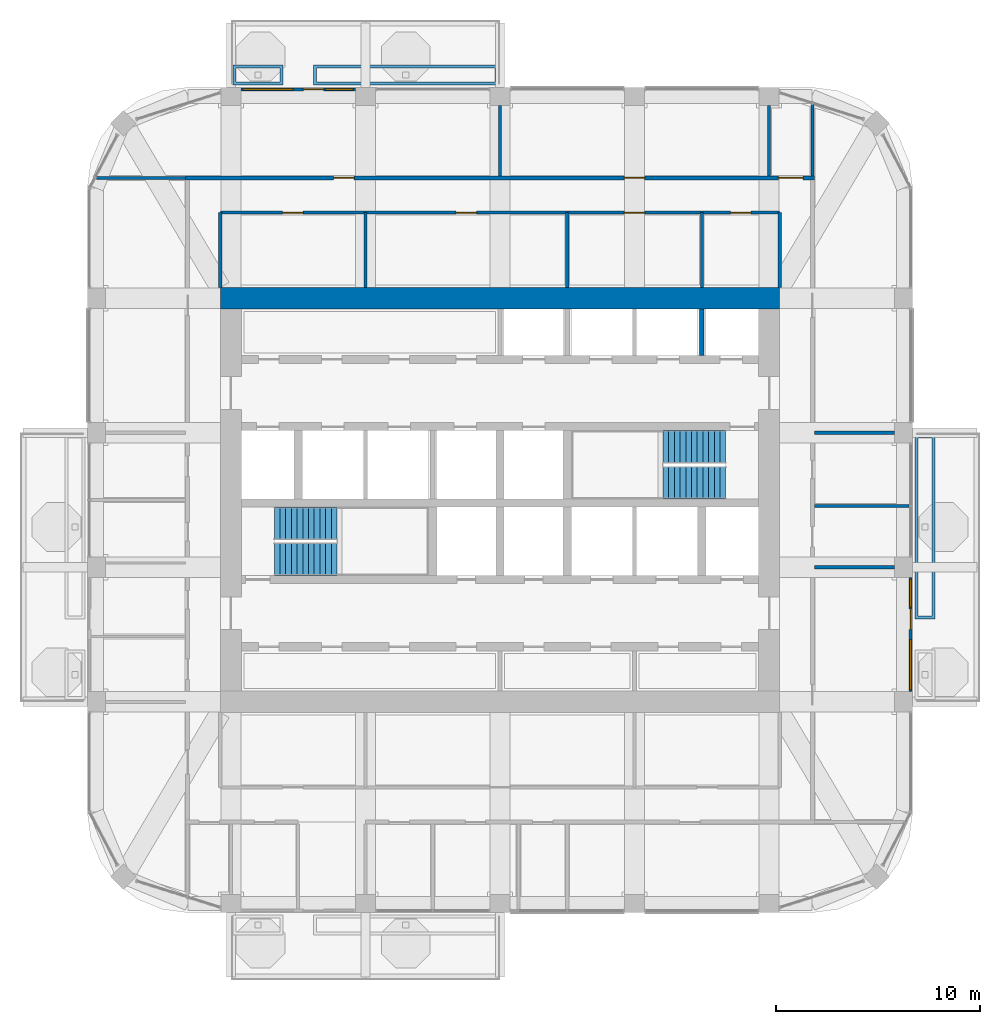
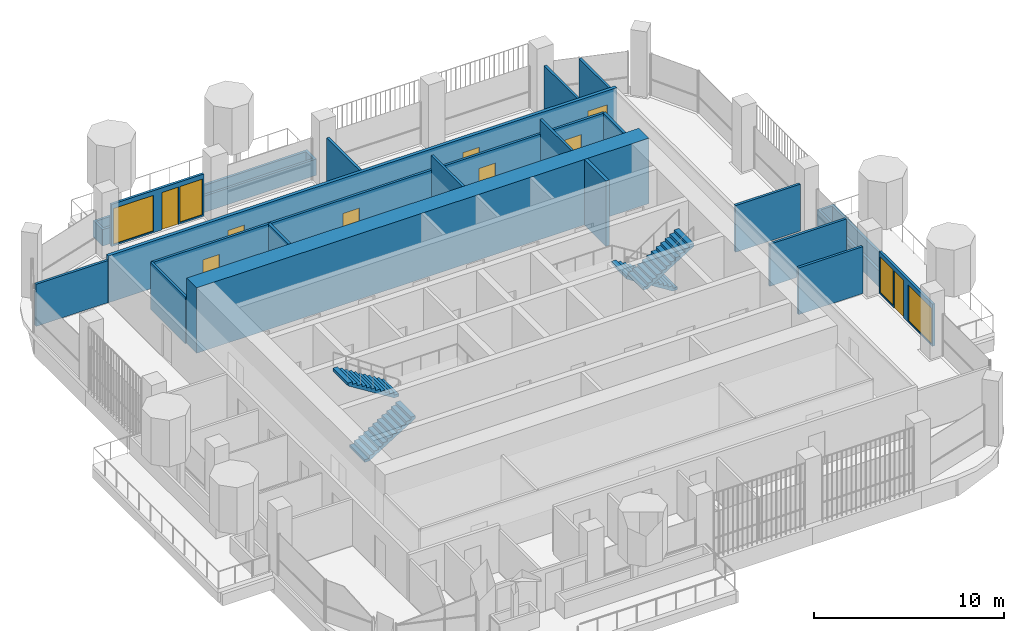
# One storey, part 15 of 19: 21 walls, 9 doors, 4 stair flights, 4 windows, 13 openings, 2 elements without a shape of their own.
"""IFC4 building model written with IfcOpenShell, lengths in metres."""

from ifc_helpers import new_model, si_unit, direction, frame, frame_2d, origin, place, context, subcontext, project, spatial, polyline, rectangle, outline, extrude, material, layer, layer_set, type_object, element, fill, aggregate, save


model = new_model("IFC4")

# Units and contexts
model_context = context("Model", 3, precision=1e-05, world=origin(), true_north=direction((0.0, 1.0)))
body_context = subcontext(model_context, "Body", "Model", "MODEL_VIEW")
ifc_project = project(units=[si_unit("LENGTHUNIT", "METRE"), si_unit("AREAUNIT", "SQUARE_METRE"), si_unit("VOLUMEUNIT", "CUBIC_METRE"), si_unit("PLANEANGLEUNIT", "RADIAN"), si_unit("MASSUNIT", "GRAM", prefix="KILO")], contexts=[model_context])

# Site, building, storey
site_placement = place(None, origin())
site = spatial("IfcSite", under=ifc_project, at=site_placement, CompositionType="ELEMENT")
building_placement = place(site_placement, origin())
building = spatial("IfcBuilding", under=site, at=building_placement, Name="Cobogo Forest Laboratory Tower", CompositionType="ELEMENT")
storey_placement = place(building_placement, frame((0.0, 0.0, 262.800048828125)))
storey = spatial("IfcBuildingStorey", under=building, at=storey_placement, Name="L60", CompositionType="ELEMENT", Elevation=262.800048828125)

# Wall
ifc_material_1 = material(Name="Concrete HA-50 (C50/60)", Category="concrete")
ifc_layer_1 = layer(ifc_material_1, 1.050048828125)
ifc_layer_set_1 = layer_set([ifc_layer_1], Name="CW1050 core outer wall 1050")
wall_type_1 = type_object("IfcWallType", Name="CW1050 core outer wall 1050", PredefinedType="SHEAR", material=ifc_layer_set_1)
wall_1_placement = place(storey_placement, frame((40.125, 33.0, 0.0), z_axis=(0.0, 0.0, 1.0), x_axis=(-1.0, 0.0, 0.0)))
element("IfcWall", 1, at=wall_1_placement, inside=storey, type_object=wall_type_1, Name="Core wall CO-N L60", PredefinedType="SHEAR", context=body_context, shape_type="SweptSolid", body=[
    extrude(rectangle(XDim=27.449951171875, YDim=1.050048828125, at=frame_2d((13.72509765625, 0.0))), origin(), (0.0, 0.0, 1.0), 4.199951171875),
])

# Wall, openings, door, windows
ifc_material_2 = material(Name="Aluminium framed glazed screen", Category="aluminium")
ifc_layer_2 = layer(ifc_material_2, 0.14990234375)
ifc_layer_set_2 = layer_set([ifc_layer_2], Name="GS1 glazed door screen 150")
wall_type_2 = type_object("IfcWallType", Name="GS1 glazed door screen 150", PredefinedType="SOLIDWALL", material=ifc_layer_set_2)
wall_2_placement = place(storey_placement, frame((46.550048828125, 13.699951171875, 0.0), z_axis=(0.0, 0.0, 1.0), x_axis=(0.0, 1.0, 0.0)))
wall_2 = element("IfcWall", 2, at=wall_2_placement, inside=storey, type_object=wall_type_2, Name="Door screen BAL-E1 L60", PredefinedType="SOLIDWALL", context=body_context, shape_type="SweptSolid", body=[
    extrude(rectangle(XDim=5.60009765625, YDim=0.14990234375, at=frame_2d((2.800048828125, 0.0))), origin(), (0.0, 0.0, 1.0), 2.699951171875),
])
opening_1_placement = place(wall_2_placement, frame((3.050048828125, 0.0, 0.0)))
opening_1 = element("IfcOpeningElement", 3, at=opening_1_placement, cuts=wall_2, Name="Opening L60-D23", PredefinedType="OPENING", context=body_context, shape_type="SweptSolid", body=[
    extrude(rectangle(XDim=1.0, YDim=2.39990234375, at=frame_2d((0.5, 1.199951171875))), frame((0.0, 0.0849609375, 0.0), z_axis=(0.0, -1.0, 0.0), x_axis=(1.0, 0.0, 0.0)), (0.0, 0.0, 1.0), 0.169921875),
])
opening_2_placement = place(wall_2_placement, frame((0.10009765625, 0.0, 0.10009765625)))
opening_2 = element("IfcOpeningElement", 4, at=opening_2_placement, cuts=wall_2, Name="Opening L60-W04", PredefinedType="OPENING", context=body_context, shape_type="SweptSolid", body=[
    extrude(rectangle(XDim=2.449951171875, YDim=2.300048828125, at=frame_2d((1.22509765625, 1.14990234375))), frame((0.0, 0.0849609375, 0.0), z_axis=(0.0, -1.0, 0.0), x_axis=(1.0, 0.0, 0.0)), (0.0, 0.0, 1.0), 0.169921875),
])
opening_3_placement = place(wall_2_placement, frame((4.14990234375, 0.0, 0.10009765625)))
opening_3 = element("IfcOpeningElement", 5, at=opening_3_placement, cuts=wall_2, Name="Opening L60-W06", PredefinedType="OPENING", context=body_context, shape_type="SweptSolid", body=[
    extrude(rectangle(XDim=1.35009765625, YDim=2.300048828125, at=frame_2d((0.675048828125, 1.14990234375))), frame((0.0, 0.0849609375, 0.0), z_axis=(0.0, -1.0, 0.0), x_axis=(1.0, 0.0, 0.0)), (0.0, 0.0, 1.0), 0.169921875),
])
ifc_material_3 = material(Name="Aluminium glazed door", Category="aluminium")
door_type_1 = type_object("IfcDoorType", Name="DB1 balcony door 1000 glazed", OperationType="SINGLE_SWING_LEFT", PredefinedType="DOOR", material=ifc_material_3)
door_1_placement = place(opening_1_placement, origin())
door_1 = element("IfcDoor", 6, at=door_1_placement, inside=storey, type_object=door_type_1, Name="Door L60-BAL-E1", OperationType="SINGLE_SWING_RIGHT", OverallHeight=2.39990234375, OverallWidth=1.0, PredefinedType="DOOR", context=body_context, shape_type="SweptSolid", body=[
    extrude(rectangle(XDim=1.0, YDim=2.39990234375, at=frame_2d((0.5, 1.199951171875))), frame((0.0, 0.02490234375, 0.0), z_axis=(0.0, -1.0, 0.0), x_axis=(1.0, 0.0, 0.0)), (0.0, 0.0, 1.0), 0.050048828125),
])
fill(opening_1, door_1)
ifc_material_4 = material(Name="Aluminium framed glazing", Category="aluminium")
window_type_1 = type_object("IfcWindowType", Name="WG23 fixed glazed light 2450x2300", PartitioningType="SINGLE_PANEL", PredefinedType="WINDOW", material=ifc_material_4)
window_1_placement = place(opening_2_placement, origin())
window_1 = element("IfcWindow", 7, at=window_1_placement, inside=storey, type_object=window_type_1, Name="Window L60-BAL-E1-1", OverallHeight=2.300048828125, OverallWidth=2.449951171875, PartitioningType="SINGLE_PANEL", PredefinedType="WINDOW", context=body_context, shape_type="SweptSolid", body=[
    extrude(rectangle(XDim=2.449951171875, YDim=2.300048828125, at=frame_2d((1.22509765625, 1.14990234375))), frame((0.0, 0.030029296875, 0.0), z_axis=(0.0, -1.0, 0.0), x_axis=(1.0, 0.0, 0.0)), (0.0, 0.0, 1.0), 0.06005859375),
])
fill(opening_2, window_1)
window_type_2 = type_object("IfcWindowType", Name="WG24 fixed glazed light 1350x2300", PartitioningType="SINGLE_PANEL", PredefinedType="WINDOW", material=ifc_material_4)
window_2_placement = place(opening_3_placement, origin())
window_2 = element("IfcWindow", 8, at=window_2_placement, inside=storey, type_object=window_type_2, Name="Window L60-BAL-E1-2", OverallHeight=2.300048828125, OverallWidth=1.35009765625, PartitioningType="SINGLE_PANEL", PredefinedType="WINDOW", context=body_context, shape_type="SweptSolid", body=[
    extrude(rectangle(XDim=1.35009765625, YDim=2.300048828125, at=frame_2d((0.675048828125, 1.14990234375))), frame((0.0, 0.030029296875, 0.0), z_axis=(0.0, -1.0, 0.0), x_axis=(1.0, 0.0, 0.0)), (0.0, 0.0, 1.0), 0.06005859375),
])
fill(opening_3, window_2)

wall_3_placement = place(storey_placement, frame((19.300048828125, 43.25, 0.0), z_axis=(0.0, 0.0, 1.0), x_axis=(-1.0, 0.0, 0.0)))
wall_3 = element("IfcWall", 9, at=wall_3_placement, inside=storey, type_object=wall_type_2, Name="Door screen BAL-N1 L60", PredefinedType="SOLIDWALL", context=body_context, shape_type="SweptSolid", body=[
    extrude(rectangle(XDim=5.60009765625, YDim=0.14990234375, at=frame_2d((2.800048828125, 0.0))), origin(), (0.0, 0.0, 1.0), 2.699951171875),
])
opening_4_placement = place(wall_3_placement, frame((1.550048828125, 0.0, 0.0)))
opening_4 = element("IfcOpeningElement", 10, at=opening_4_placement, cuts=wall_3, Name="Opening L60-D50", PredefinedType="OPENING", context=body_context, shape_type="SweptSolid", body=[
    extrude(rectangle(XDim=1.0, YDim=2.39990234375, at=frame_2d((0.5, 1.199951171875))), frame((0.0, 0.0849609375, 0.0), z_axis=(0.0, -1.0, 0.0), x_axis=(1.0, 0.0, 0.0)), (0.0, 0.0, 1.0), 0.169921875),
])
opening_5_placement = place(wall_3_placement, frame((0.10009765625, 0.0, 0.10009765625)))
opening_5 = element("IfcOpeningElement", 11, at=opening_5_placement, cuts=wall_3, Name="Opening L60-W08", PredefinedType="OPENING", context=body_context, shape_type="SweptSolid", body=[
    extrude(rectangle(XDim=1.35009765625, YDim=2.300048828125, at=frame_2d((0.675048828125, 1.14990234375))), frame((0.0, 0.0849609375, 0.0), z_axis=(0.0, -1.0, 0.0), x_axis=(1.0, 0.0, 0.0)), (0.0, 0.0, 1.0), 0.169921875),
])
opening_6_placement = place(wall_3_placement, frame((3.050048828125, 0.0, 0.10009765625)))
opening_6 = element("IfcOpeningElement", 12, at=opening_6_placement, cuts=wall_3, Name="Opening L60-W07", PredefinedType="OPENING", context=body_context, shape_type="SweptSolid", body=[
    extrude(rectangle(XDim=2.449951171875, YDim=2.300048828125, at=frame_2d((1.22509765625, 1.14990234375))), frame((0.0, 0.0849609375, 0.0), z_axis=(0.0, -1.0, 0.0), x_axis=(1.0, 0.0, 0.0)), (0.0, 0.0, 1.0), 0.169921875),
])
door_2_placement = place(opening_4_placement, origin())
door_2 = element("IfcDoor", 13, at=door_2_placement, inside=storey, type_object=door_type_1, Name="Door L60-BAL-N1", OperationType="SINGLE_SWING_LEFT", OverallHeight=2.39990234375, OverallWidth=1.0, PredefinedType="DOOR", context=body_context, shape_type="SweptSolid", body=[
    extrude(rectangle(XDim=1.0, YDim=2.39990234375, at=frame_2d((0.5, 1.199951171875))), frame((0.0, 0.02490234375, 0.0), z_axis=(0.0, -1.0, 0.0), x_axis=(1.0, 0.0, 0.0)), (0.0, 0.0, 1.0), 0.050048828125),
])
fill(opening_4, door_2)
window_3_placement = place(opening_6_placement, origin())
window_3 = element("IfcWindow", 14, at=window_3_placement, inside=storey, type_object=window_type_1, Name="Window L60-BAL-N1-2", OverallHeight=2.300048828125, OverallWidth=2.449951171875, PartitioningType="SINGLE_PANEL", PredefinedType="WINDOW", context=body_context, shape_type="SweptSolid", body=[
    extrude(rectangle(XDim=2.449951171875, YDim=2.300048828125, at=frame_2d((1.22509765625, 1.14990234375))), frame((0.0, 0.030029296875, 0.0), z_axis=(0.0, -1.0, 0.0), x_axis=(1.0, 0.0, 0.0)), (0.0, 0.0, 1.0), 0.06005859375),
])
fill(opening_6, window_3)
window_4_placement = place(opening_5_placement, origin())
window_4 = element("IfcWindow", 15, at=window_4_placement, inside=storey, type_object=window_type_2, Name="Window L60-BAL-N1-1", OverallHeight=2.300048828125, OverallWidth=1.35009765625, PartitioningType="SINGLE_PANEL", PredefinedType="WINDOW", context=body_context, shape_type="SweptSolid", body=[
    extrude(rectangle(XDim=1.35009765625, YDim=2.300048828125, at=frame_2d((0.675048828125, 1.14990234375))), frame((0.0, 0.030029296875, 0.0), z_axis=(0.0, -1.0, 0.0), x_axis=(1.0, 0.0, 0.0)), (0.0, 0.0, 1.0), 0.06005859375),
])
fill(opening_5, window_4)

# Wall, openings, doors
ifc_material_5 = material(Name="Gypsum board on steel studs", Category="steel")
ifc_layer_3 = layer(ifc_material_5, 0.14990234375)
ifc_layer_set_3 = layer_set([ifc_layer_3], Name="PT1 laboratory partition 150")
wall_type_3 = type_object("IfcWallType", Name="PT1 laboratory partition 150", PredefinedType="PARTITIONING", material=ifc_layer_set_3)
wall_4_placement = place(storey_placement, frame((12.675048828125, 37.199951171875, 0.0), z_axis=(0.0, 0.0, 1.0), x_axis=(1.0, 0.0, 0.0)))
wall_4 = element("IfcWall", 16, at=wall_4_placement, inside=storey, type_object=wall_type_3, Name="Partition CSTRIP-N L60", PredefinedType="PARTITIONING", context=body_context, shape_type="SweptSolid", body=[
    extrude(rectangle(XDim=27.449951171875, YDim=0.14990234375, at=frame_2d((13.72509765625, 0.0))), origin(), (0.0, 0.0, 1.0), 3.0),
])
opening_7_placement = place(wall_4_placement, frame((3.0625, 0.0, 0.0)))
opening_7 = element("IfcOpeningElement", 17, at=opening_7_placement, cuts=wall_4, Name="Opening L60-D43", PredefinedType="OPENING", context=body_context, shape_type="SweptSolid", body=[
    extrude(rectangle(XDim=1.0, YDim=2.10009765625, at=frame_2d((0.5, 1.050048828125))), frame((0.0, 0.0849609375, 0.0), z_axis=(0.0, -1.0, 0.0), x_axis=(1.0, 0.0, 0.0)), (0.0, 0.0, 1.0), 0.169921875),
])
opening_8_placement = place(wall_4_placement, frame((11.574951171875, 0.0, 0.0)))
opening_8 = element("IfcOpeningElement", 18, at=opening_8_placement, cuts=wall_4, Name="Opening L60-D44", PredefinedType="OPENING", context=body_context, shape_type="SweptSolid", body=[
    extrude(rectangle(XDim=1.0, YDim=2.10009765625, at=frame_2d((0.5, 1.050048828125))), frame((0.0, 0.0849609375, 0.0), z_axis=(0.0, -1.0, 0.0), x_axis=(1.0, 0.0, 0.0)), (0.0, 0.0, 1.0), 0.169921875),
])
opening_9_placement = place(wall_4_placement, frame((19.824951171875, 0.0, 0.0)))
opening_9 = element("IfcOpeningElement", 19, at=opening_9_placement, cuts=wall_4, Name="Opening L60-D45", PredefinedType="OPENING", context=body_context, shape_type="SweptSolid", body=[
    extrude(rectangle(XDim=1.0, YDim=2.10009765625, at=frame_2d((0.5, 1.050048828125))), frame((0.0, 0.0849609375, 0.0), z_axis=(0.0, -1.0, 0.0), x_axis=(1.0, 0.0, 0.0)), (0.0, 0.0, 1.0), 0.169921875),
])
opening_10_placement = place(wall_4_placement, frame((25.03759765625, 0.0, 0.0)))
opening_10 = element("IfcOpeningElement", 20, at=opening_10_placement, cuts=wall_4, Name="Opening L60-D46", PredefinedType="OPENING", context=body_context, shape_type="SweptSolid", body=[
    extrude(rectangle(XDim=1.0, YDim=2.10009765625, at=frame_2d((0.5, 1.050048828125))), frame((0.0, 0.0849609375, 0.0), z_axis=(0.0, -1.0, 0.0), x_axis=(1.0, 0.0, 0.0)), (0.0, 0.0, 1.0), 0.169921875),
])
ifc_material_6 = material(Name="Timber fire door", Category="wood")
door_type_2 = type_object("IfcDoorType", Name="FD2 fire door 1000 EI2 30", OperationType="SINGLE_SWING_LEFT", PredefinedType="DOOR", material=ifc_material_6)
door_3_placement = place(opening_7_placement, origin())
door_3 = element("IfcDoor", 21, at=door_3_placement, inside=storey, type_object=door_type_2, Name="Door L60-CSN1", OperationType="SINGLE_SWING_LEFT", OverallHeight=2.10009765625, OverallWidth=1.0, PredefinedType="DOOR", context=body_context, shape_type="SweptSolid", body=[
    extrude(rectangle(XDim=1.0, YDim=2.10009765625, at=frame_2d((0.5, 1.050048828125))), frame((0.0, 0.02490234375, 0.0), z_axis=(0.0, -1.0, 0.0), x_axis=(1.0, 0.0, 0.0)), (0.0, 0.0, 1.0), 0.050048828125),
])
fill(opening_7, door_3)
door_4_placement = place(opening_8_placement, origin())
door_4 = element("IfcDoor", 22, at=door_4_placement, inside=storey, type_object=door_type_2, Name="Door L60-CSN2", OperationType="SINGLE_SWING_LEFT", OverallHeight=2.10009765625, OverallWidth=1.0, PredefinedType="DOOR", context=body_context, shape_type="SweptSolid", body=[
    extrude(rectangle(XDim=1.0, YDim=2.10009765625, at=frame_2d((0.5, 1.050048828125))), frame((0.0, 0.02490234375, 0.0), z_axis=(0.0, -1.0, 0.0), x_axis=(1.0, 0.0, 0.0)), (0.0, 0.0, 1.0), 0.050048828125),
])
fill(opening_8, door_4)
door_5_placement = place(opening_9_placement, origin())
door_5 = element("IfcDoor", 23, at=door_5_placement, inside=storey, type_object=door_type_2, Name="Door L60-CSN3", OperationType="SINGLE_SWING_RIGHT", OverallHeight=2.10009765625, OverallWidth=1.0, PredefinedType="DOOR", context=body_context, shape_type="SweptSolid", body=[
    extrude(rectangle(XDim=1.0, YDim=2.10009765625, at=frame_2d((0.5, 1.050048828125))), frame((0.0, 0.02490234375, 0.0), z_axis=(0.0, -1.0, 0.0), x_axis=(1.0, 0.0, 0.0)), (0.0, 0.0, 1.0), 0.050048828125),
])
fill(opening_9, door_5)
door_6_placement = place(opening_10_placement, origin())
door_6 = element("IfcDoor", 24, at=door_6_placement, inside=storey, type_object=door_type_2, Name="Door L60-CSN4", OperationType="SINGLE_SWING_RIGHT", OverallHeight=2.10009765625, OverallWidth=1.0, PredefinedType="DOOR", context=body_context, shape_type="SweptSolid", body=[
    extrude(rectangle(XDim=1.0, YDim=2.10009765625, at=frame_2d((0.5, 1.050048828125))), frame((0.0, 0.02490234375, 0.0), z_axis=(0.0, -1.0, 0.0), x_axis=(1.0, 0.0, 0.0)), (0.0, 0.0, 1.0), 0.050048828125),
])
fill(opening_10, door_6)

# Walls
for number, where, z_axis, x_axis, name in (
    (25, (12.675048828125, 33.52490234375, 0.0), (0.0, 0.0, 1.0), (0.0, 1.0, 0.0), "Partition CSTRIP-NW L60"),
    (26, (40.125, 33.52490234375, 0.0), (0.0, 0.0, 1.0), (0.0, 1.0, 0.0), "Partition CSTRIP-NE L60"),
    (27, (19.800048828125, 33.52490234375, 0.0), (0.0, 0.0, 1.0), (0.0, 1.0, 0.0), "Partition CSTRIP-N19.8 L60"),
):
    element("IfcWall", number, at=place(storey_placement, frame(where, z_axis=z_axis, x_axis=x_axis)), inside=storey, type_object=wall_type_3, Name=name, PredefinedType="PARTITIONING", context=body_context, shape_type="SweptSolid", body=[
        extrude(rectangle(XDim=3.675048828125, YDim=0.14990234375, at=frame_2d((1.83740234375, 0.0))), origin(), (0.0, 0.0, 1.0), 3.0),
    ])
for number, where, z_axis, x_axis, name in (
    (28, (29.699951171875, 33.52490234375, 0.0), (0.0, 0.0, 1.0), (0.0, 1.0, 0.0), "Partition CSTRIP-N29.7 L60"),
    (29, (36.300048828125, 33.52490234375, 0.0), (0.0, 0.0, 1.0), (0.0, 1.0, 0.0), "Partition CSTRIP-N36.3 L60"),
):
    element("IfcWall", number, at=place(storey_placement, frame(where, z_axis=z_axis, x_axis=x_axis)), inside=storey, type_object=wall_type_3, Name=name, PredefinedType="PARTITIONING", context=body_context, shape_type="SweptSolid", body=[
        extrude(rectangle(XDim=3.675048828125, YDim=0.14990234375, at=frame_2d((1.83740234375, 0.0))), origin(), (0.0, 0.0, 1.0), 3.89990234375),
    ])
wall_5_placement = place(storey_placement, frame((41.72509765625, 42.4951171875, 0.0), z_axis=(0.0, 0.0, 1.0), x_axis=(0.0, -1.0, 0.0)))
element("IfcWall", 30, at=wall_5_placement, inside=storey, type_object=wall_type_3, Name="Partition PW-NE L60", PredefinedType="PARTITIONING", context=body_context, shape_type="SweptSolid", body=[
    extrude(rectangle(XDim=3.4951171875, YDim=0.14990234375, at=frame_2d((1.74755859375, 0.0))), origin(), (0.0, 0.0, 1.0), 2.699951171875),
])
wall_6_placement = place(storey_placement, frame((6.6025390625, 38.89990234375, 0.0), z_axis=(0.0, 0.0, 1.0), x_axis=(1.0, 0.0, 0.0)))
element("IfcWall", 31, at=wall_6_placement, inside=storey, type_object=wall_type_3, Name="Partition PW-NW L60", PredefinedType="PARTITIONING", context=body_context, shape_type="SweptSolid", body=[
    extrude(rectangle(XDim=4.37255859375, YDim=0.14990234375, at=frame_2d((2.186279296875, 0.0))), origin(), (0.0, 0.0, 1.0), 2.699951171875),
])
wall_7_placement = place(storey_placement, frame((46.469970703125, 22.800048828125, 0.0), z_axis=(0.0, 0.0, 1.0), x_axis=(-1.0, 0.0, 0.0)))
element("IfcWall", 32, at=wall_7_placement, inside=storey, type_object=wall_type_3, Name="Partition SVC-E1-1 L60", PredefinedType="PARTITIONING", context=body_context, shape_type="SweptSolid", body=[
    extrude(rectangle(XDim=4.64501953125, YDim=0.14990234375, at=frame_2d((2.322509765625, 0.0))), origin(), (0.0, 0.0, 1.0), 2.699951171875),
])
for number, where, z_axis, x_axis, name in (
    (33, (45.75, 26.39990234375, 0.0), (0.0, 0.0, 1.0), (-1.0, 0.0, 0.0), "Partition SVC-E2-1 L60"),
    (34, (45.75, 19.800048828125, 0.0), (0.0, 0.0, 1.0), (-1.0, 0.0, 0.0), "Partition CUT-E19.8-1 L60"),
):
    element("IfcWall", number, at=place(storey_placement, frame(where, z_axis=z_axis, x_axis=x_axis)), inside=storey, type_object=wall_type_3, Name=name, PredefinedType="PARTITIONING", context=body_context, shape_type="SweptSolid", body=[
        extrude(rectangle(XDim=3.925048828125, YDim=0.14990234375, at=frame_2d((1.96240234375, 0.0))), origin(), (0.0, 0.0, 1.0), 3.0),
    ])
for number, where, z_axis, x_axis, name in (
    (35, (26.39990234375, 42.449951171875, 0.0), (0.0, 0.0, 1.0), (0.0, -1.0, 0.0), "Partition CUT-N26.4-1 L60"),
    (36, (39.60009765625, 42.449951171875, 0.0), (0.0, 0.0, 1.0), (0.0, -1.0, 0.0), "Partition CUT-N39.6-1 L60"),
):
    element("IfcWall", number, at=place(storey_placement, frame(where, z_axis=z_axis, x_axis=x_axis)), inside=storey, type_object=wall_type_3, Name=name, PredefinedType="PARTITIONING", context=body_context, shape_type="SweptSolid", body=[
        extrude(rectangle(XDim=3.449951171875, YDim=0.14990234375, at=frame_2d((1.72509765625, 0.0))), origin(), (0.0, 0.0, 1.0), 3.0),
    ])

# Wall, openings, doors
ifc_layer_4 = layer(ifc_material_5, 0.199951171875)
ifc_layer_set_4 = layer_set([ifc_layer_4], Name="PT2 fire-rated corridor partition 200")
wall_type_4 = type_object("IfcWallType", Name="PT2 fire-rated corridor partition 200", PredefinedType="PARTITIONING", material=ifc_layer_set_4)
wall_8_placement = place(storey_placement, frame((10.97509765625, 38.89990234375, 0.0), z_axis=(0.0, 0.0, 1.0), x_axis=(1.0, 0.0, 0.0)))
wall_8 = element("IfcWall", 37, at=wall_8_placement, inside=storey, type_object=wall_type_4, Name="Partition CORR-N L60", PredefinedType="PARTITIONING", context=body_context, shape_type="SweptSolid", body=[
    extrude(rectangle(XDim=30.849853515625, YDim=0.199951171875, at=frame_2d((15.4248046875, 0.0))), origin(), (0.0, 0.0, 1.0), 3.0),
])
opening_11_placement = place(wall_8_placement, frame((7.262451171875, 0.0, 0.0)))
opening_11 = element("IfcOpeningElement", 38, at=opening_11_placement, cuts=wall_8, Name="Opening L60-D47", PredefinedType="OPENING", context=body_context, shape_type="SweptSolid", body=[
    extrude(rectangle(XDim=1.0, YDim=2.10009765625, at=frame_2d((0.5, 1.050048828125))), frame((0.0, 0.10986328125, 0.0), z_axis=(0.0, -1.0, 0.0), x_axis=(1.0, 0.0, 0.0)), (0.0, 0.0, 1.0), 0.219970703125),
])
opening_12_placement = place(wall_8_placement, frame((21.52490234375, 0.0, 0.0)))
opening_12 = element("IfcOpeningElement", 39, at=opening_12_placement, cuts=wall_8, Name="Opening L60-D48", PredefinedType="OPENING", context=body_context, shape_type="SweptSolid", body=[
    extrude(rectangle(XDim=1.0, YDim=2.10009765625, at=frame_2d((0.5, 1.050048828125))), frame((0.0, 0.10986328125, 0.0), z_axis=(0.0, -1.0, 0.0), x_axis=(1.0, 0.0, 0.0)), (0.0, 0.0, 1.0), 0.219970703125),
])
opening_13_placement = place(wall_8_placement, frame((29.08740234375, 0.0, 0.0)))
opening_13 = element("IfcOpeningElement", 40, at=opening_13_placement, cuts=wall_8, Name="Opening L60-D49", PredefinedType="OPENING", context=body_context, shape_type="SweptSolid", body=[
    extrude(rectangle(XDim=1.199951171875, YDim=2.10009765625, at=frame_2d((0.60009765625, 1.050048828125))), frame((0.0, 0.10986328125, 0.0), z_axis=(0.0, -1.0, 0.0), x_axis=(1.0, 0.0, 0.0)), (0.0, 0.0, 1.0), 0.219970703125),
])
ifc_material_7 = material(Name="Timber door", Category="wood")
door_type_3 = type_object("IfcDoorType", Name="D2 laboratory door 1200 unequal pair", OperationType="DOUBLE_DOOR_SINGLE_SWING", PredefinedType="DOOR", material=ifc_material_7)
door_7_placement = place(opening_13_placement, origin())
door_7 = element("IfcDoor", 41, at=door_7_placement, inside=storey, type_object=door_type_3, Name="Door L60-N3", OperationType="DOUBLE_DOOR_SINGLE_SWING", OverallHeight=2.10009765625, OverallWidth=1.199951171875, PredefinedType="DOOR", context=body_context, shape_type="SweptSolid", body=[
    extrude(rectangle(XDim=1.199951171875, YDim=2.10009765625, at=frame_2d((0.60009765625, 1.050048828125))), frame((0.0, 0.02490234375, 0.0), z_axis=(0.0, -1.0, 0.0), x_axis=(1.0, 0.0, 0.0)), (0.0, 0.0, 1.0), 0.050048828125),
])
fill(opening_13, door_7)
door_8_placement = place(opening_11_placement, origin())
door_8 = element("IfcDoor", 42, at=door_8_placement, inside=storey, type_object=door_type_2, Name="Door L60-N1", OperationType="SINGLE_SWING_LEFT", OverallHeight=2.10009765625, OverallWidth=1.0, PredefinedType="DOOR", context=body_context, shape_type="SweptSolid", body=[
    extrude(rectangle(XDim=1.0, YDim=2.10009765625, at=frame_2d((0.5, 1.050048828125))), frame((0.0, 0.02490234375, 0.0), z_axis=(0.0, -1.0, 0.0), x_axis=(1.0, 0.0, 0.0)), (0.0, 0.0, 1.0), 0.050048828125),
])
fill(opening_11, door_8)
door_9_placement = place(opening_12_placement, origin())
door_9 = element("IfcDoor", 43, at=door_9_placement, inside=storey, type_object=door_type_2, Name="Door L60-N2", OperationType="SINGLE_SWING_RIGHT", OverallHeight=2.10009765625, OverallWidth=1.0, PredefinedType="DOOR", context=body_context, shape_type="SweptSolid", body=[
    extrude(rectangle(XDim=1.0, YDim=2.10009765625, at=frame_2d((0.5, 1.050048828125))), frame((0.0, 0.02490234375, 0.0), z_axis=(0.0, -1.0, 0.0), x_axis=(1.0, 0.0, 0.0)), (0.0, 0.0, 1.0), 0.050048828125),
])
fill(opening_12, door_9)

# Walls
ifc_material_8 = material(Name="Concrete HA-40 (C40/50)", Category="concrete")
ifc_layer_5 = layer(ifc_material_8, 0.14990234375)
ifc_layer_set_5 = layer_set([ifc_layer_5], Name="Planter box 1000x1050")
wall_type_5 = type_object("IfcWallType", Name="Planter box 1000x1050", PredefinedType="USERDEFINED", material=ifc_layer_set_5)
wall_9_placement = place(storey_placement, origin())
element("IfcWall", 44, at=wall_9_placement, inside=storey, type_object=wall_type_5, Name="Planter BAL-E1-2 L60", ObjectType="PLANTER", PredefinedType="USERDEFINED", context=body_context, shape_type="SweptSolid", body=[
    extrude(outline(polyline([(46.75, 17.25), (47.75, 17.25), (47.75, 26.300048828125), (46.75, 26.300048828125), (46.75, 17.25)]), holes=[polyline([(46.89990234375, 17.39990234375), (47.60009765625, 17.39990234375), (47.60009765625, 26.14990234375), (46.89990234375, 26.14990234375), (46.89990234375, 17.39990234375)])]), origin(), (0.0, 0.0, 1.0), 1.050048828125),
])
wall_10_placement = place(storey_placement, origin())
element("IfcWall", 45, at=wall_10_placement, inside=storey, type_object=wall_type_5, Name="Planter BAL-N1-1 L60", ObjectType="PLANTER", PredefinedType="USERDEFINED", context=body_context, shape_type="SweptSolid", body=[
    extrude(outline(polyline([(13.300048828125, 43.449951171875), (15.75, 43.449951171875), (15.75, 44.449951171875), (13.300048828125, 44.449951171875), (13.300048828125, 43.449951171875)]), holes=[polyline([(13.449951171875, 43.60009765625), (15.60009765625, 43.60009765625), (15.60009765625, 44.300048828125), (13.449951171875, 44.300048828125), (13.449951171875, 43.60009765625)])]), origin(), (0.0, 0.0, 1.0), 1.050048828125),
])
wall_11_placement = place(storey_placement, origin())
element("IfcWall", 46, at=wall_11_placement, inside=storey, type_object=wall_type_5, Name="Planter BAL-N1-2 L60", ObjectType="PLANTER", PredefinedType="USERDEFINED", context=body_context, shape_type="SweptSolid", body=[
    extrude(outline(polyline([(17.25, 43.449951171875), (26.300048828125, 43.449951171875), (26.300048828125, 44.449951171875), (17.25, 44.449951171875), (17.25, 43.449951171875)]), holes=[polyline([(17.39990234375, 43.60009765625), (26.14990234375, 43.60009765625), (26.14990234375, 44.300048828125), (17.39990234375, 44.300048828125), (17.39990234375, 43.60009765625)])]), origin(), (0.0, 0.0, 1.0), 1.050048828125),
])
ifc_material_9 = material(Name="Concrete block", Category="concrete")
ifc_layer_6 = layer(ifc_material_9, 0.199951171875)
ifc_layer_set_6 = layer_set([ifc_layer_6], Name="SW200 lift shaft separator 200")
wall_type_6 = type_object("IfcWallType", Name="SW200 lift shaft separator 200", PredefinedType="PARTITIONING", material=ifc_layer_set_6)
wall_12_placement = place(storey_placement, frame((36.300048828125, 30.199951171875, 0.0), z_axis=(0.0, 0.0, 1.0), x_axis=(0.0, 1.0, 0.0)))
element("IfcWall", 47, at=wall_12_placement, inside=storey, type_object=wall_type_6, Name="Core wall SEP-N7 L60", PredefinedType="PARTITIONING", context=body_context, shape_type="SweptSolid", body=[
    extrude(rectangle(XDim=2.275146484375, YDim=0.199951171875, at=frame_2d((1.1376953125, 0.0))), origin(), (0.0, 0.0, 1.0), 4.199951171875),
])

# Stair, stair flights
ifc_material_10 = material(Name="Precast concrete HA-40 (C40/50)", Category="concrete")
stair_type = type_object("IfcStairType", Name="ST24 exit stair 24 risers", PredefinedType="HALF_TURN_STAIR", material=ifc_material_10)
stair_1_placement = place(storey_placement, origin())
stair_1 = element("IfcStair", 48, at=stair_1_placement, inside=storey, type_object=stair_type, Name="Stair 1 L60 to L61", PredefinedType="HALF_TURN_STAIR")
stair_flight_type = type_object("IfcStairFlightType", Name="ST stair flight 280 going", PredefinedType="STRAIGHT", material=ifc_material_10)
stair_flight_1_placement = place(storey_placement, frame((15.324951171875, 20.199951171875, 0.0), z_axis=(0.0, 0.0, 1.0), x_axis=(1.0, 0.0, 0.0)))
stair_flight_1 = element("IfcStairFlight", 49, at=stair_flight_1_placement, type_object=stair_flight_type, Name="ST1 flight 1", NumberOfRisers=12, NumberOfTreads=11, PredefinedType="STRAIGHT", RiserHeight=0.175, TreadLength=0.28, context=body_context, shape_type="SweptSolid", body=[
    extrude(outline(polyline([(0.0, 0.0), (0.0, 0.175048828125), (0.280029296875, 0.175048828125), (0.280029296875, 0.35009765625), (0.56005859375, 0.35009765625), (0.56005859375, 0.52490234375), (0.840087890625, 0.52490234375), (0.840087890625, 0.699951171875), (1.1201171875, 0.699951171875), (1.1201171875, 0.875), (1.39990234375, 0.875), (1.39990234375, 1.050048828125), (1.679931640625, 1.050048828125), (1.679931640625, 1.22509765625), (1.9599609375, 1.22509765625), (1.9599609375, 1.39990234375), (2.239990234375, 1.39990234375), (2.239990234375, 1.574951171875), (2.52001953125, 1.574951171875), (2.52001953125, 1.75), (2.800048828125, 1.75), (2.800048828125, 1.925048828125), (3.080078125, 1.925048828125), (3.080078125, 2.10009765625), (3.080078125, 1.748291015625), (0.28271484375, 0.0), (0.0, 0.0)])), frame((0.0, 0.800048828125, 0.0), z_axis=(0.0, -1.0, 0.0), x_axis=(1.0, 0.0, 0.0)), (0.0, 0.0, 1.0), 1.60009765625),
])
stair_flight_2_placement = place(storey_placement, frame((18.405029296875, 21.949951171875, 2.099853515625), z_axis=(0.0, 0.0, 1.0), x_axis=(-1.0, 0.0, 0.0)))
stair_flight_2 = element("IfcStairFlight", 50, at=stair_flight_2_placement, type_object=stair_flight_type, Name="ST1 flight 2", NumberOfRisers=12, NumberOfTreads=11, PredefinedType="STRAIGHT", RiserHeight=0.175, TreadLength=0.28, context=body_context, shape_type="SweptSolid", body=[
    extrude(outline(polyline([(0.0, 0.0), (0.0, 0.175048828125), (0.280029296875, 0.175048828125), (0.280029296875, 0.35009765625), (0.56005859375, 0.35009765625), (0.56005859375, 0.52490234375), (0.840087890625, 0.52490234375), (0.840087890625, 0.699951171875), (1.1201171875, 0.699951171875), (1.1201171875, 0.875), (1.39990234375, 0.875), (1.39990234375, 1.050048828125), (1.679931640625, 1.050048828125), (1.679931640625, 1.22509765625), (1.9599609375, 1.22509765625), (1.9599609375, 1.39990234375), (2.239990234375, 1.39990234375), (2.239990234375, 1.574951171875), (2.52001953125, 1.574951171875), (2.52001953125, 1.75), (2.800048828125, 1.75), (2.800048828125, 1.925048828125), (3.080078125, 1.925048828125), (3.080078125, 2.10009765625), (3.080078125, 1.748291015625), (0.28271484375, 0.0), (0.0, 0.0)])), frame((0.0, 0.800048828125, 0.0), z_axis=(0.0, -1.0, 0.0), x_axis=(1.0, 0.0, 0.0)), (0.0, 0.0, 1.0), 1.60009765625),
])
aggregate(stair_1, [stair_flight_1, stair_flight_2])

stair_2_placement = place(storey_placement, origin())
stair_2 = element("IfcStair", 51, at=stair_2_placement, inside=storey, type_object=stair_type, Name="Stair 2 L60 to L61", PredefinedType="HALF_TURN_STAIR")
stair_flight_3_placement = place(storey_placement, frame((37.47509765625, 25.699951171875, 0.0), z_axis=(0.0, 0.0, 1.0), x_axis=(-1.0, 0.0, 0.0)))
stair_flight_3 = element("IfcStairFlight", 52, at=stair_flight_3_placement, type_object=stair_flight_type, Name="ST2 flight 1", NumberOfRisers=12, NumberOfTreads=11, PredefinedType="STRAIGHT", RiserHeight=0.175, TreadLength=0.28, context=body_context, shape_type="SweptSolid", body=[
    extrude(outline(polyline([(0.0, 0.0), (0.0, 0.175048828125), (0.280029296875, 0.175048828125), (0.280029296875, 0.35009765625), (0.56005859375, 0.35009765625), (0.56005859375, 0.52490234375), (0.840087890625, 0.52490234375), (0.840087890625, 0.699951171875), (1.1201171875, 0.699951171875), (1.1201171875, 0.875), (1.39990234375, 0.875), (1.39990234375, 1.050048828125), (1.679931640625, 1.050048828125), (1.679931640625, 1.22509765625), (1.9599609375, 1.22509765625), (1.9599609375, 1.39990234375), (2.239990234375, 1.39990234375), (2.239990234375, 1.574951171875), (2.52001953125, 1.574951171875), (2.52001953125, 1.75), (2.800048828125, 1.75), (2.800048828125, 1.925048828125), (3.080078125, 1.925048828125), (3.080078125, 2.10009765625), (3.080078125, 1.748291015625), (0.28271484375, 0.0), (0.0, 0.0)])), frame((0.0, 0.800048828125, 0.0), z_axis=(0.0, -1.0, 0.0), x_axis=(1.0, 0.0, 0.0)), (0.0, 0.0, 1.0), 1.60009765625),
])
stair_flight_4_placement = place(storey_placement, frame((34.39501953125, 23.949951171875, 2.099853515625), z_axis=(0.0, 0.0, 1.0), x_axis=(1.0, 0.0, 0.0)))
stair_flight_4 = element("IfcStairFlight", 53, at=stair_flight_4_placement, type_object=stair_flight_type, Name="ST2 flight 2", NumberOfRisers=12, NumberOfTreads=11, PredefinedType="STRAIGHT", RiserHeight=0.175, TreadLength=0.28, context=body_context, shape_type="SweptSolid", body=[
    extrude(outline(polyline([(0.0, 0.0), (0.0, 0.175048828125), (0.280029296875, 0.175048828125), (0.280029296875, 0.35009765625), (0.56005859375, 0.35009765625), (0.56005859375, 0.52490234375), (0.840087890625, 0.52490234375), (0.840087890625, 0.699951171875), (1.1201171875, 0.699951171875), (1.1201171875, 0.875), (1.39990234375, 0.875), (1.39990234375, 1.050048828125), (1.679931640625, 1.050048828125), (1.679931640625, 1.22509765625), (1.9599609375, 1.22509765625), (1.9599609375, 1.39990234375), (2.239990234375, 1.39990234375), (2.239990234375, 1.574951171875), (2.52001953125, 1.574951171875), (2.52001953125, 1.75), (2.800048828125, 1.75), (2.800048828125, 1.925048828125), (3.080078125, 1.925048828125), (3.080078125, 2.10009765625), (3.080078125, 1.748291015625), (0.28271484375, 0.0), (0.0, 0.0)])), frame((0.0, 0.800048828125, 0.0), z_axis=(0.0, -1.0, 0.0), x_axis=(1.0, 0.0, 0.0)), (0.0, 0.0, 1.0), 1.60009765625),
])
aggregate(stair_2, [stair_flight_3, stair_flight_4])

save(model, "model.ifc")
